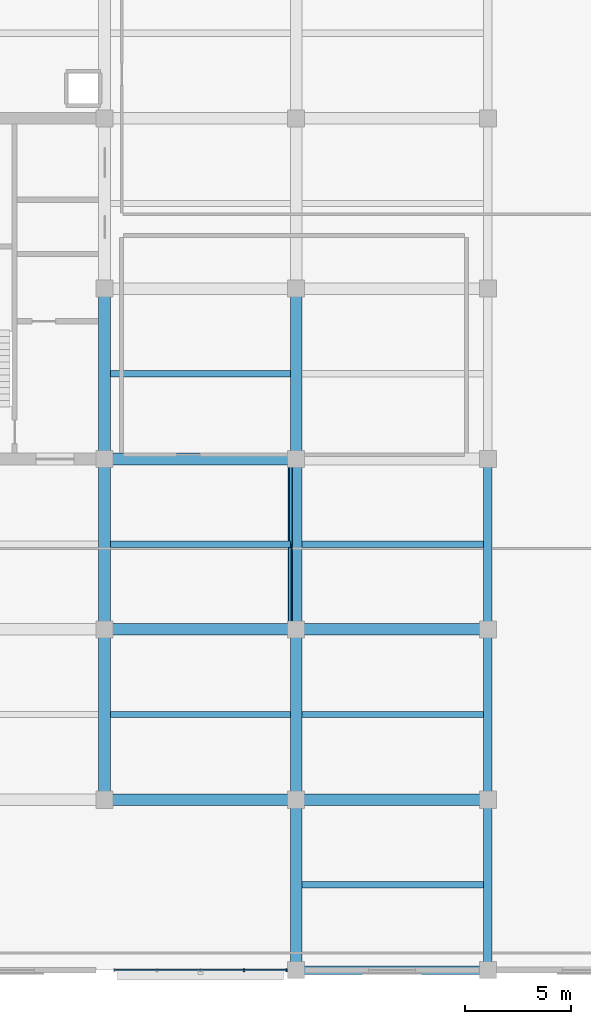
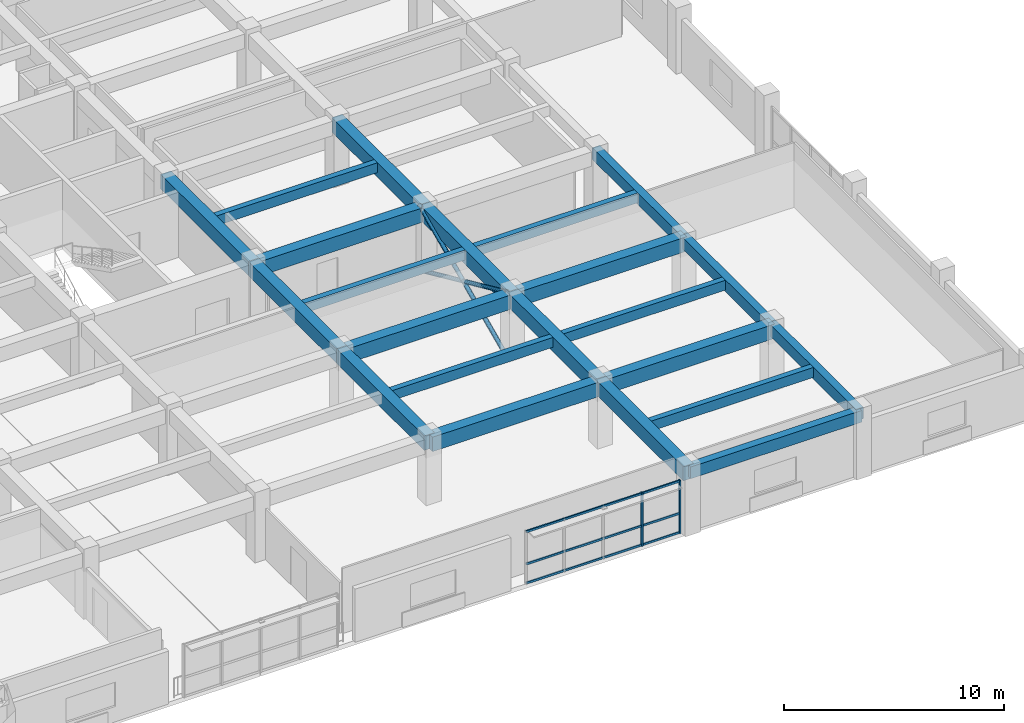
# One storey, part 6 of 16: 22 beams, 7 members, 1 element without a shape of its own.
"""IFC4 building model written with IfcOpenShell, lengths in metres."""

from ifc_helpers import new_model, si_unit, direction, frame, origin, origin_2d, place, context, subcontext, project, spatial, rectangle, hollow_circle, extrude, material, material_profile, profile_set, type_object, element, aggregate, save


model = new_model("IFC4")

# Units and contexts
model_context = context("Model", 3, precision=1e-05, world=origin(), true_north=direction((0.0, 1.0)))
body_context = subcontext(model_context, "Body", "Model", "MODEL_VIEW")
ifc_project = project(units=[si_unit("LENGTHUNIT", "METRE"), si_unit("AREAUNIT", "SQUARE_METRE"), si_unit("VOLUMEUNIT", "CUBIC_METRE"), si_unit("PLANEANGLEUNIT", "RADIAN"), si_unit("MASSUNIT", "GRAM", prefix="KILO")], contexts=[model_context])

# Site, building, storey
site_placement = place(None, origin())
site = spatial("IfcSite", under=ifc_project, at=site_placement, CompositionType="ELEMENT")
building_placement = place(site_placement, origin())
building = spatial("IfcBuilding", under=site, at=building_placement, Name="Zaverband Oceanarium and Marine Research Institute", CompositionType="ELEMENT")
storey_placement = place(building_placement, frame((0.0, 0.0, 41.39990234375)))
storey = spatial("IfcBuildingStorey", under=building, at=storey_placement, Name="L10", CompositionType="ELEMENT", Elevation=41.39990234375)

# Beams
ifc_material_1 = material(Name="Concrete C40/50", Category="concrete")
ifc_material_profile_1 = material_profile(ifc_material_1, rectangle(XDim=0.550048828125, YDim=0.800048828125, at=origin_2d()), Name="RC550x800")
ifc_profile_set_1 = profile_set([ifc_material_profile_1], Name="Concrete C40/50")
beam_type_1 = type_object("IfcBeamType", Name="BM-550x800", PredefinedType="BEAM", material=ifc_profile_set_1)
for number, where, z_axis, x_axis, name in (
    (1, (45.0, 72.0, 3.22021484375), (1.0, 0.0, 0.0), (0.0, 1.0, 0.0), "Primary floor girder BM-550x800"),
    (2, (54.0, 72.0, 3.22021484375), (1.0, 0.0, 0.0), (0.0, 1.0, 0.0), "Primary floor girder BM-550x800"),
    (3, (45.0, 80.0, 3.22021484375), (1.0, 0.0, 0.0), (0.0, 1.0, 0.0), "Primary floor girder BM-550x800"),
    (4, (54.0, 80.0, 3.22021484375), (1.0, 0.0, 0.0), (0.0, 1.0, 0.0), "Primary floor girder BM-550x800"),
    (5, (45.0, 88.0, 3.22021484375), (1.0, 0.0, 0.0), (0.0, 1.0, 0.0), "Primary floor girder BM-550x800"),
):
    element("IfcBeam", number, at=place(storey_placement, frame(where, z_axis=z_axis, x_axis=x_axis)), inside=storey, type_object=beam_type_1, Name=name, PredefinedType="BEAM", context=body_context, shape_type="SweptSolid", body=[
        extrude(rectangle(XDim=0.550048828125, YDim=0.800048828125, at=origin_2d()), origin(), (0.0, 0.0, 1.0), 9.0),
    ])
for number, where, z_axis, x_axis, name in (
    (6, (45.0, 72.0, 3.22021484375), (0.0, 1.0, 0.0), (-1.0, 0.0, 0.0), "Primary floor girder BM-550x800"),
    (7, (45.0, 80.0, 3.22021484375), (0.0, 1.0, 0.0), (-1.0, 0.0, 0.0), "Primary floor girder BM-550x800"),
    (8, (45.0, 88.0, 3.22021484375), (0.0, 1.0, 0.0), (-1.0, 0.0, 0.0), "Primary floor girder BM-550x800"),
    (9, (54.0, 64.0, 3.22021484375), (0.0, 1.0, 0.0), (-1.0, 0.0, 0.0), "Primary floor girder BM-550x800"),
    (10, (54.0, 72.0, 3.22021484375), (0.0, 1.0, 0.0), (-1.0, 0.0, 0.0), "Primary floor girder BM-550x800"),
    (11, (54.0, 80.0, 3.22021484375), (0.0, 1.0, 0.0), (-1.0, 0.0, 0.0), "Primary floor girder BM-550x800"),
    (12, (54.0, 88.0, 3.22021484375), (0.0, 1.0, 0.0), (-1.0, 0.0, 0.0), "Primary floor girder BM-550x800"),
):
    element("IfcBeam", number, at=place(storey_placement, frame(where, z_axis=z_axis, x_axis=x_axis)), inside=storey, type_object=beam_type_1, Name=name, PredefinedType="BEAM", context=body_context, shape_type="SweptSolid", body=[
        extrude(rectangle(XDim=0.550048828125, YDim=0.800048828125, at=origin_2d()), origin(), (0.0, 0.0, 1.0), 8.0),
    ])

# Members
ifc_material_2 = material(Name="Steel S355", Category="steel")
ifc_material_profile_2 = material_profile(ifc_material_2, hollow_circle(Radius=0.109619140625, WallThickness=0.008056640625, at=origin_2d()), Name="CHS219x8")
ifc_profile_set_2 = profile_set([ifc_material_profile_2], Name="Steel S355")
member_type_1 = type_object("IfcMemberType", Name="BR-02", PredefinedType="BRACE", material=ifc_profile_set_2)
for number, where, z_axis, x_axis, name in (
    (13, (53.719970703125, 80.0, 0.0), (0.0, 0.91106217571, 0.412268980146), (-1.0, 0.0, 0.0), "Diagonal lateral brace BR-02"),
    (14, (53.719970703125, 88.0, 0.0), (0.0, -0.91106217571, 0.412268980146), (1.0, 0.0, 0.0), "Diagonal lateral brace BR-02"),
):
    element("IfcMember", number, at=place(storey_placement, frame(where, z_axis=z_axis, x_axis=x_axis)), inside=storey, type_object=member_type_1, Name=name, PredefinedType="BRACE", context=body_context, shape_type="SweptSolid", body=[
        extrude(hollow_circle(Radius=0.109619140625, WallThickness=0.008056640625, at=origin_2d()), origin(), (0.0, 0.0, 1.0), 8.781005859375),
    ])

# Beams
ifc_material_profile_3 = material_profile(ifc_material_1, rectangle(XDim=0.300048828125, YDim=0.550048828125, at=origin_2d()), Name="RC300x550")
ifc_profile_set_3 = profile_set([ifc_material_profile_3], Name="Concrete C40/50")
beam_type_2 = type_object("IfcBeamType", Name="JST-300x550", PredefinedType="JOIST", material=ifc_profile_set_3)
for number, where, z_axis, x_axis, name in (
    (15, (45.27490234375, 76.0, 3.34521484375), (1.0, 0.0, 0.0), (0.0, 1.0, 0.0), "Secondary floor joist JST-300x550"),
    (16, (45.27490234375, 84.0, 3.34521484375), (1.0, 0.0, 0.0), (0.0, 1.0, 0.0), "Secondary floor joist JST-300x550"),
    (17, (45.27490234375, 92.0, 3.34521484375), (1.0, 0.0, 0.0), (0.0, 1.0, 0.0), "Secondary floor joist JST-300x550"),
):
    element("IfcBeam", number, at=place(storey_placement, frame(where, z_axis=z_axis, x_axis=x_axis)), inside=storey, type_object=beam_type_2, Name=name, PredefinedType="JOIST", context=body_context, shape_type="SweptSolid", body=[
        extrude(rectangle(XDim=0.300048828125, YDim=0.550048828125, at=origin_2d()), origin(), (0.0, 0.0, 1.0), 8.4501953125),
    ])
for number, where, z_axis, x_axis, name in (
    (18, (54.27490234375, 68.0, 3.34521484375), (1.0, 0.0, 0.0), (0.0, 1.0, 0.0), "Secondary floor joist JST-300x550"),
    (19, (54.27490234375, 76.0, 3.34521484375), (1.0, 0.0, 0.0), (0.0, 1.0, 0.0), "Secondary floor joist JST-300x550"),
    (20, (54.27490234375, 84.0, 3.34521484375), (1.0, 0.0, 0.0), (0.0, 1.0, 0.0), "Secondary floor joist JST-300x550"),
):
    element("IfcBeam", number, at=place(storey_placement, frame(where, z_axis=z_axis, x_axis=x_axis)), inside=storey, type_object=beam_type_2, Name=name, PredefinedType="JOIST", context=body_context, shape_type="SweptSolid", body=[
        extrude(rectangle(XDim=0.300048828125, YDim=0.550048828125, at=origin_2d()), origin(), (0.0, 0.0, 1.0), 8.525146484375),
    ])

# Curtain wall, members
ifc_material_3 = material(Name="Thermally broken anodized aluminium and solar-control glass", Category="aluminium")
curtain_wall_type = type_object("IfcCurtainWallType", Name="CW-UNIT-1800", PredefinedType="NOTDEFINED", material=ifc_material_3)
curtain_wall_placement = place(storey_placement, origin())
curtain_wall = element("IfcCurtainWall", 21, at=curtain_wall_placement, inside=storey, type_object=curtain_wall_type, Name="Unitised glazed curtain wall CW-114", PredefinedType="NOTDEFINED")
ifc_material_4 = material(Name="Thermally broken anodized aluminium", Category="aluminium")
ifc_material_profile_4 = material_profile(ifc_material_4, rectangle(XDim=0.070068359375, YDim=0.14990234375, at=origin_2d()), Name="AL-MUL-70x150")
ifc_profile_set_4 = profile_set([ifc_material_profile_4], Name="Thermally broken anodized aluminium")
member_type_2 = type_object("IfcMemberType", Name="MUL-70x150", PredefinedType="MULLION", material=ifc_profile_set_4)
member_1_placement = place(storey_placement, frame((51.547607421875, 64.0, 0.0), z_axis=(0.0, 0.0, 1.0), x_axis=(1.0, 0.0, 0.0)))
member_1 = element("IfcMember", 22, at=member_1_placement, type_object=member_type_2, Name="Curtain wall vertical mullion MUL-70x150", PredefinedType="MULLION", context=body_context, shape_type="SweptSolid", body=[
    extrude(rectangle(XDim=0.070068359375, YDim=0.14990234375, at=origin_2d()), origin(), (0.0, 0.0, 1.0), 2.9501953125),
])
member_2_placement = place(storey_placement, frame((53.534912109375, 64.0, 0.0), z_axis=(0.0, 0.0, 1.0), x_axis=(1.0, 0.0, 0.0)))
member_2 = element("IfcMember", 23, at=member_2_placement, type_object=member_type_2, Name="Curtain wall vertical mullion MUL-70x150", PredefinedType="MULLION", context=body_context, shape_type="SweptSolid", body=[
    extrude(rectangle(XDim=0.070068359375, YDim=0.14990234375, at=origin_2d()), origin(), (0.0, 0.0, 1.0), 2.9501953125),
])

# Beams
ifc_material_profile_5 = material_profile(ifc_material_1, rectangle(XDim=0.39990234375, YDim=0.64990234375, at=origin_2d()), Name="RC400x650")
ifc_profile_set_5 = profile_set([ifc_material_profile_5], Name="Concrete C40/50")
beam_type_3 = type_object("IfcBeamType", Name="SPN-400x650", PredefinedType="SPANDREL", material=ifc_profile_set_5)
beam_placement = place(storey_placement, frame((54.0, 64.0, 3.295166015625), z_axis=(1.0, 0.0, 0.0), x_axis=(0.0, 1.0, 0.0)))
element("IfcBeam", 24, at=beam_placement, inside=storey, type_object=beam_type_3, Name="Perimeter spandrel beam SPN-400x650", PredefinedType="SPANDREL", context=body_context, shape_type="SweptSolid", body=[
    extrude(rectangle(XDim=0.39990234375, YDim=0.64990234375, at=origin_2d()), origin(), (0.0, 0.0, 1.0), 9.0),
])
for number, where, z_axis, x_axis, name in (
    (25, (63.0, 64.0, 3.295166015625), (0.0, 1.0, 0.0), (-1.0, 0.0, 0.0), "Perimeter spandrel beam SPN-400x650"),
    (26, (63.0, 72.0, 3.295166015625), (0.0, 1.0, 0.0), (-1.0, 0.0, 0.0), "Perimeter spandrel beam SPN-400x650"),
    (27, (63.0, 80.0, 3.295166015625), (0.0, 1.0, 0.0), (-1.0, 0.0, 0.0), "Perimeter spandrel beam SPN-400x650"),
):
    element("IfcBeam", number, at=place(storey_placement, frame(where, z_axis=z_axis, x_axis=x_axis)), inside=storey, type_object=beam_type_3, Name=name, PredefinedType="SPANDREL", context=body_context, shape_type="SweptSolid", body=[
        extrude(rectangle(XDim=0.39990234375, YDim=0.64990234375, at=origin_2d()), origin(), (0.0, 0.0, 1.0), 8.0),
    ])

# Member
ifc_material_profile_6 = material_profile(ifc_material_4, rectangle(XDim=0.070068359375, YDim=0.114990234375, at=origin_2d()), Name="AL-TRN-70x115")
ifc_profile_set_6 = profile_set([ifc_material_profile_6], Name="Thermally broken anodized aluminium")
member_type_3 = type_object("IfcMemberType", Name="TRN-70x115", PredefinedType="USERDEFINED", material=ifc_profile_set_6)
member_3_placement = place(storey_placement, frame((45.465087890625, 64.0, 0.050048828125), z_axis=(1.0, 0.0, 0.0), x_axis=(0.0, 1.0, 0.0)))
member_3 = element("IfcMember", 28, at=member_3_placement, type_object=member_type_3, Name="Curtain wall horizontal transom TRN-70x115", ObjectType="TRANSOM", PredefinedType="USERDEFINED", context=body_context, shape_type="SweptSolid", body=[
    extrude(rectangle(XDim=0.070068359375, YDim=0.114990234375, at=origin_2d()), origin(), (0.0, 0.0, 1.0), 8.06982421875),
])

member_4_placement = place(storey_placement, frame((45.465087890625, 64.0, 1.112060546875), z_axis=(1.0, 0.0, 0.0), x_axis=(0.0, 1.0, 0.0)))
member_4 = element("IfcMember", 29, at=member_4_placement, type_object=member_type_3, Name="Curtain wall horizontal transom TRN-70x115", ObjectType="TRANSOM", PredefinedType="USERDEFINED", context=body_context, shape_type="SweptSolid", body=[
    extrude(rectangle(XDim=0.070068359375, YDim=0.114990234375, at=origin_2d()), origin(), (0.0, 0.0, 1.0), 8.06982421875),
])

member_5_placement = place(storey_placement, frame((45.465087890625, 64.0, 2.900146484375), z_axis=(1.0, 0.0, 0.0), x_axis=(0.0, 1.0, 0.0)))
member_5 = element("IfcMember", 30, at=member_5_placement, type_object=member_type_3, Name="Curtain wall horizontal transom TRN-70x115", ObjectType="TRANSOM", PredefinedType="USERDEFINED", context=body_context, shape_type="SweptSolid", body=[
    extrude(rectangle(XDim=0.070068359375, YDim=0.114990234375, at=origin_2d()), origin(), (0.0, 0.0, 1.0), 8.06982421875),
])

aggregate(curtain_wall, [member_1, member_2, member_3, member_4, member_5])

save(model, "model.ifc")
